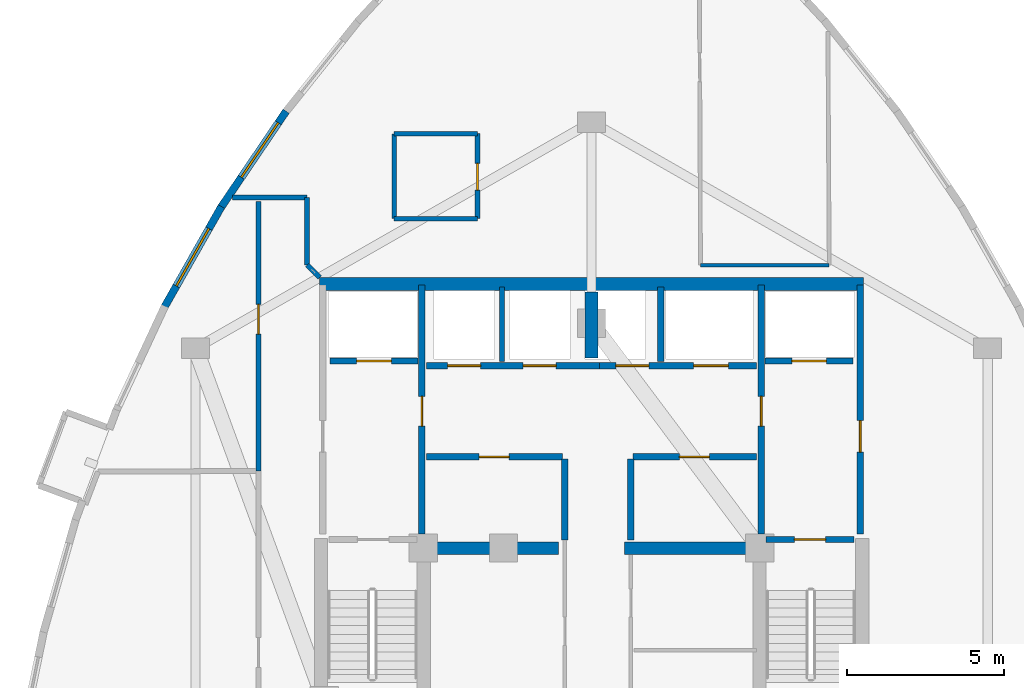
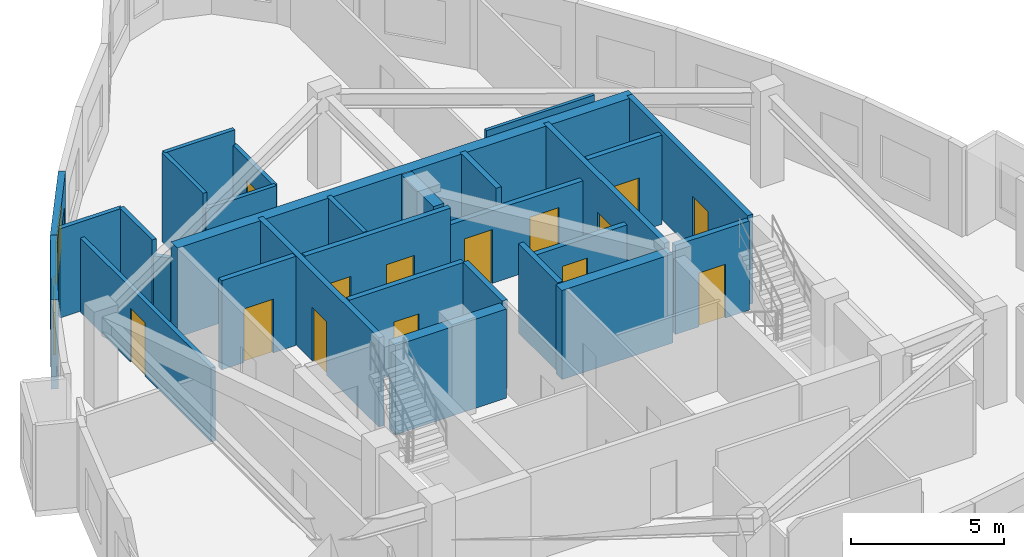
# One storey, part 6 of 9: 29 walls, 14 doors, 2 windows, 16 openings.
"""IFC4 building model written with IfcOpenShell, lengths in metres."""

from ifc_helpers import new_model, si_unit, direction, frame, frame_2d, origin, place, context, subcontext, project, spatial, rectangle, extrude, material, layer, layer_set, type_object, element, fill, save


model = new_model("IFC4")

# Units and contexts
model_context = context("Model", 3, precision=1e-05, world=origin(), true_north=direction((0.0, 1.0)))
body_context = subcontext(model_context, "Body", "Model", "MODEL_VIEW")
ifc_project = project(units=[si_unit("LENGTHUNIT", "METRE"), si_unit("AREAUNIT", "SQUARE_METRE"), si_unit("VOLUMEUNIT", "CUBIC_METRE"), si_unit("PLANEANGLEUNIT", "RADIAN"), si_unit("MASSUNIT", "GRAM", prefix="KILO")], contexts=[model_context])

# Site, building, storey
site_placement = place(None, origin())
site = spatial("IfcSite", under=ifc_project, at=site_placement, CompositionType="ELEMENT")
building_placement = place(site_placement, origin())
building = spatial("IfcBuilding", under=site, at=building_placement, Name="Miruveldt Soraemaru", CompositionType="ELEMENT")
storey_placement = place(building_placement, frame((0.0, 0.0, 267.39990234375)))
storey = spatial("IfcBuildingStorey", under=building, at=storey_placement, Name="L73", CompositionType="ELEMENT", Elevation=267.39990234375)

# Walls
ifc_material_1 = material(Name="Concrete C70/85 (70 MPa)", Category="concrete")
ifc_layer_1 = layer(ifc_material_1, 0.5, Name="Concrete C70/85 (70 MPa)", Category="concrete")
ifc_layer_set_1 = layer_set([ifc_layer_1], Name="Concrete C70/85 (70 MPa)")
wall_type_1 = type_object("IfcWallType", Name="WALL-BW-500", PredefinedType="SHEAR", material=ifc_layer_set_1)
wall_1_placement = place(storey_placement, frame((44.0, 50.10009765625, 0.0), z_axis=(0.0, 0.0, 1.0), x_axis=(0.0, 1.0, 0.0)))
element("IfcWall", 1, at=wall_1_placement, inside=storey, type_object=wall_type_1, Name="L73 Core Buttress Shear Wall BN", PredefinedType="SHEAR", context=body_context, shape_type="SweptSolid", body=[
    extrude(rectangle(XDim=2.099853515625, YDim=0.39990234375, at=frame_2d((1.0498046875, 0.0))), origin(), (0.0, 0.0, 1.0), 3.565185546875),
])
for number, where, z_axis, x_axis, name in (
    (2, (38.75, 44.050048828125, 0.0), (0.0, 0.0, 1.0), (1.0, 0.0, 0.0), "L73 Core Buttress Shear Wall BW"),
    (3, (45.050048828125, 44.050048828125, 0.0), (0.0, 0.0, 1.0), (1.0, 0.0, 0.0), "L73 Core Buttress Shear Wall BE"),
):
    element("IfcWall", number, at=place(storey_placement, frame(where, z_axis=z_axis, x_axis=x_axis)), inside=storey, type_object=wall_type_1, Name=name, PredefinedType="SHEAR", context=body_context, shape_type="SweptSolid", body=[
        extrude(rectangle(XDim=4.199951171875, YDim=0.39990234375, at=frame_2d((2.10009765625, 0.0))), origin(), (0.0, 0.0, 1.0), 3.565185546875),
    ])
ifc_material_2 = material(Name="Concrete C50/60 (50 MPa)", Category="concrete")
ifc_layer_2 = layer(ifc_material_2, 0.419921875, Name="Concrete C50/60 (50 MPa)", Category="concrete")
ifc_layer_set_2 = layer_set([ifc_layer_2], Name="Concrete C50/60 (50 MPa)")
wall_type_2 = type_object("IfcWallType", Name="WALL-CW-420", PredefinedType="SHEAR", material=ifc_layer_set_2)
wall_2_placement = place(storey_placement, frame((35.35009765625, 52.449951171875, 0.0), z_axis=(0.0, 0.0, 1.0), x_axis=(1.0, 0.0, 0.0)))
element("IfcWall", 4, at=wall_2_placement, inside=storey, type_object=wall_type_2, Name="L73 Central Core Shear Wall N", PredefinedType="SHEAR", context=body_context, shape_type="SweptSolid", body=[
    extrude(rectangle(XDim=17.2998046875, YDim=0.419921875, at=frame_2d((8.64990234375, 0.0))), origin(), (0.0, 0.0, 1.0), 3.565185546875),
])

# Wall, opening, window
ifc_material_3 = material(Name="Precast concrete C45/55 (45 MPa)", Category="concrete")
ifc_layer_3 = layer(ifc_material_3, 0.239990234375, Name="Precast concrete C45/55 (45 MPa)", Category="concrete")
ifc_layer_set_3 = layer_set([ifc_layer_3], Name="Precast concrete C45/55 (45 MPa)")
wall_type_3 = type_object("IfcWallType", Name="WALL-EXT-PC240", PredefinedType="SOLIDWALL", material=ifc_layer_set_3)
wall_3_placement = place(storey_placement, frame((34.2841796875, 57.948486328125, 0.0), z_axis=(0.0, 0.0, 1.0), x_axis=(-0.560822138973, -0.827936306993, 0.0)))
wall_3 = element("IfcWall", 5, at=wall_3_placement, inside=storey, type_object=wall_type_3, Name="L73 Precast Concrete Facade Wall 9", PredefinedType="SOLIDWALL", context=body_context, shape_type="SweptSolid", body=[
    extrude(rectangle(XDim=3.736328125, YDim=0.239990234375, at=frame_2d((1.8681640625, 0.0))), origin(), (0.0, 0.0, 1.0), 3.565185546875),
])
opening_1_placement = place(wall_3_placement, frame((0.444091796875, 0.0, 0.800048828125)))
opening_1 = element("IfcOpeningElement", 6, at=opening_1_placement, cuts=wall_3, Name="Opening WN-1", PredefinedType="OPENING", context=body_context, shape_type="SweptSolid", body=[
    extrude(rectangle(XDim=2.10009765625, YDim=1.699951171875, at=frame_2d((1.050048828125, 0.85009765625))), frame((0.0, 0.1298828125, 0.0), z_axis=(0.0, -1.0, 0.0), x_axis=(1.0, 0.0, 0.0)), (0.0, 0.0, 1.0), 0.260009765625),
])
ifc_material_4 = material(Name="Triple low-e insulated glazing", Category="glass")
window_type = type_object("IfcWindowType", Name="WIN-PUNCH-2100x1700", PartitioningType="SINGLE_PANEL", PredefinedType="WINDOW", material=ifc_material_4)
window_1_placement = place(opening_1_placement, origin())
window_1 = element("IfcWindow", 7, at=window_1_placement, inside=storey, type_object=window_type, Name="L73 Punched Triple-Glazed Window 09.1", OverallHeight=1.699951171875, OverallWidth=2.10009765625, PartitioningType="SINGLE_PANEL", PredefinedType="WINDOW", context=body_context, shape_type="SweptSolid", body=[
    extrude(rectangle(XDim=2.10009765625, YDim=1.699951171875, at=frame_2d((1.050048828125, 0.85009765625))), frame((0.0, 0.030029296875, 0.0), z_axis=(0.0, -1.0, 0.0), x_axis=(1.0, 0.0, 0.0)), (0.0, 0.0, 1.0), 0.06005859375),
])
fill(opening_1, window_1)

wall_4_placement = place(storey_placement, frame((32.2255859375, 54.91455078125, 0.0), z_axis=(0.0, 0.0, 1.0), x_axis=(-0.49336758037, -0.869820918718, 0.0)))
wall_4 = element("IfcWall", 8, at=wall_4_placement, inside=storey, type_object=wall_type_3, Name="L73 Precast Concrete Facade Wall 10", PredefinedType="SOLIDWALL", context=body_context, shape_type="SweptSolid", body=[
    extrude(rectangle(XDim=3.712890625, YDim=0.239990234375, at=frame_2d((1.8564453125, 0.0))), origin(), (0.0, 0.0, 1.0), 3.565185546875),
])
opening_2_placement = place(wall_4_placement, frame((0.805908203125, 0.0, 0.800048828125)))
opening_2 = element("IfcOpeningElement", 9, at=opening_2_placement, cuts=wall_4, Name="Opening WN-1", PredefinedType="OPENING", context=body_context, shape_type="SweptSolid", body=[
    extrude(rectangle(XDim=2.10009765625, YDim=1.699951171875, at=frame_2d((1.050048828125, 0.85009765625))), frame((0.0, 0.1298828125, 0.0), z_axis=(0.0, -1.0, 0.0), x_axis=(1.0, 0.0, 0.0)), (0.0, 0.0, 1.0), 0.260009765625),
])
window_2_placement = place(opening_2_placement, origin())
window_2 = element("IfcWindow", 10, at=window_2_placement, inside=storey, type_object=window_type, Name="L73 Punched Triple-Glazed Window 10.1", OverallHeight=1.699951171875, OverallWidth=2.10009765625, PartitioningType="SINGLE_PANEL", PredefinedType="WINDOW", context=body_context, shape_type="SweptSolid", body=[
    extrude(rectangle(XDim=2.10009765625, YDim=1.699951171875, at=frame_2d((1.050048828125, 0.85009765625))), frame((0.0, 0.030029296875, 0.0), z_axis=(0.0, -1.0, 0.0), x_axis=(1.0, 0.0, 0.0)), (0.0, 0.0, 1.0), 0.06005859375),
])
fill(opening_2, window_2)

# Wall
ifc_material_5 = material(Name="Gypsum plasterboard lining", Category="gypsum")
ifc_layer_4 = layer(ifc_material_5, 0.1201171875, Name="Gypsum plasterboard lining", Category="gypsum")
ifc_layer_set_4 = layer_set([ifc_layer_4], Name="Gypsum plasterboard lining")
wall_type_4 = type_object("IfcWallType", Name="WALL-INT-P120", PredefinedType="PARTITIONING", material=ifc_layer_set_4)
wall_5_placement = place(storey_placement, frame((51.56201171875, 53.050048828125, 0.0), z_axis=(0.0, 0.0, 1.0), x_axis=(-1.0, 0.0, 0.0)))
element("IfcWall", 11, at=wall_5_placement, inside=storey, type_object=wall_type_4, Name="L73 Partition Wall 28", PredefinedType="PARTITIONING", context=body_context, shape_type="SweptSolid", body=[
    extrude(rectangle(XDim=4.095947265625, YDim=0.1201171875, at=frame_2d((2.0478515625, 0.0))), origin(), (0.0, 0.0, 1.0), 3.565185546875),
])

# Wall, opening, door
ifc_layer_5 = layer(ifc_material_5, 0.14990234375, Name="Gypsum plasterboard lining", Category="gypsum")
ifc_layer_set_5 = layer_set([ifc_layer_5], Name="Gypsum plasterboard lining")
wall_type_5 = type_object("IfcWallType", Name="WALL-INT-PLUMB", PredefinedType="PLUMBINGWALL", material=ifc_layer_set_5)
wall_6_placement = place(storey_placement, frame((40.3720703125, 54.530029296875, 0.0), z_axis=(0.0, 0.0, 1.0), x_axis=(0.0, 1.0, 0.0)))
wall_6 = element("IfcWall", 12, at=wall_6_placement, inside=storey, type_object=wall_type_5, Name="L73 Partition Wall 11", PredefinedType="PLUMBINGWALL", context=body_context, shape_type="SweptSolid", body=[
    extrude(rectangle(XDim=2.699951171875, YDim=0.14990234375, at=frame_2d((1.35009765625, 0.0))), origin(), (0.0, 0.0, 1.0), 2.965087890625),
])
opening_3_placement = place(wall_6_placement, frame((0.909912109375, 0.0, 0.0)))
opening_3 = element("IfcOpeningElement", 13, at=opening_3_placement, cuts=wall_6, Name="Opening FD3", PredefinedType="OPENING", context=body_context, shape_type="SweptSolid", body=[
    extrude(rectangle(XDim=0.85009765625, YDim=2.10009765625, at=frame_2d((0.425048828125, 1.050048828125))), frame((0.0, 0.0849609375, 0.0), z_axis=(0.0, -1.0, 0.0), x_axis=(1.0, 0.0, 0.0)), (0.0, 0.0, 1.0), 0.169921875),
])
ifc_material_6 = material(Name="Anodised aluminium EN AW-6063 T6", Category="aluminium")
door_type_1 = type_object("IfcDoorType", Name="DOOR-FD3-850", OperationType="NOTDEFINED", PredefinedType="DOOR", material=ifc_material_6)
door_1_placement = place(opening_3_placement, origin())
door_1 = element("IfcDoor", 14, at=door_1_placement, inside=storey, type_object=door_type_1, Name="L73 Unit 7301 BTH Door", OperationType="SINGLE_SWING_RIGHT", OverallHeight=2.10009765625, OverallWidth=0.85009765625, PredefinedType="DOOR", context=body_context, shape_type="SweptSolid", body=[
    extrude(rectangle(XDim=0.85009765625, YDim=2.10009765625, at=frame_2d((0.425048828125, 1.050048828125))), frame((0.0, 0.02490234375, 0.0), z_axis=(0.0, -1.0, 0.0), x_axis=(1.0, 0.0, 0.0)), (0.0, 0.0, 1.0), 0.050048828125),
])
fill(opening_3, door_1)

# Walls
wall_7_placement = place(storey_placement, frame((37.721923828125, 57.22998046875, 0.0), z_axis=(0.0, 0.0, 1.0), x_axis=(0.0, -1.0, 0.0)))
element("IfcWall", 15, at=wall_7_placement, inside=storey, type_object=wall_type_5, Name="L73 Partition Wall 13", PredefinedType="PLUMBINGWALL", context=body_context, shape_type="SweptSolid", body=[
    extrude(rectangle(XDim=2.699951171875, YDim=0.14990234375, at=frame_2d((1.35009765625, 0.0))), origin(), (0.0, 0.0, 1.0), 3.565185546875),
])
wall_8_placement = place(storey_placement, frame((40.3720703125, 57.22998046875, 0.0), z_axis=(0.0, 0.0, 1.0), x_axis=(-1.0, 0.0, 0.0)))
element("IfcWall", 16, at=wall_8_placement, inside=storey, type_object=wall_type_5, Name="L73 Partition Wall 12", PredefinedType="PLUMBINGWALL", context=body_context, shape_type="SweptSolid", body=[
    extrude(rectangle(XDim=2.650146484375, YDim=0.14990234375, at=frame_2d((1.3251953125, 0.0))), origin(), (0.0, 0.0, 1.0), 3.565185546875),
])
wall_9_placement = place(storey_placement, frame((37.721923828125, 54.530029296875, 0.0), z_axis=(0.0, 0.0, 1.0), x_axis=(1.0, 0.0, 0.0)))
element("IfcWall", 17, at=wall_9_placement, inside=storey, type_object=wall_type_5, Name="L73 Partition Wall 14", PredefinedType="PLUMBINGWALL", context=body_context, shape_type="SweptSolid", body=[
    extrude(rectangle(XDim=2.650146484375, YDim=0.14990234375, at=frame_2d((1.3251953125, 0.0))), origin(), (0.0, 0.0, 1.0), 2.965087890625),
])

# Wall, opening, door
ifc_material_7 = material(Name="Concrete C40/50 (40 MPa)", Category="concrete")
ifc_layer_6 = layer(ifc_material_7, 0.159912109375, Name="Concrete C40/50 (40 MPa)", Category="concrete")
ifc_layer_set_6 = layer_set([ifc_layer_6], Name="Concrete C40/50 (40 MPa)")
wall_type_6 = type_object("IfcWallType", Name="WALL-INT-RC160", PredefinedType="SOLIDWALL", material=ifc_layer_set_6)
wall_10_placement = place(storey_placement, frame((33.39990234375, 55.075927734375, 0.0), z_axis=(0.0, 0.0, 1.0), x_axis=(0.0, -1.0, 0.0)))
wall_10 = element("IfcWall", 18, at=wall_10_placement, inside=storey, type_object=wall_type_6, Name="L73 Partition Wall 3", PredefinedType="SOLIDWALL", context=body_context, shape_type="SweptSolid", body=[
    extrude(rectangle(XDim=8.571044921875, YDim=0.159912109375, at=frame_2d((4.28564453125, 0.0))), origin(), (0.0, 0.0, 1.0), 2.965087890625),
])
opening_4_placement = place(wall_10_placement, frame((3.27001953125, 0.0, 0.0)))
opening_4 = element("IfcOpeningElement", 19, at=opening_4_placement, cuts=wall_10, Name="Opening FD2", PredefinedType="OPENING", context=body_context, shape_type="SweptSolid", body=[
    extrude(rectangle(XDim=0.949951171875, YDim=2.14990234375, at=frame_2d((0.47509765625, 1.074951171875))), frame((0.0, 0.08984375, 0.0), z_axis=(0.0, -1.0, 0.0), x_axis=(1.0, 0.0, 0.0)), (0.0, 0.0, 1.0), 0.179931640625),
])
door_type_2 = type_object("IfcDoorType", Name="DOOR-FD2-950", OperationType="NOTDEFINED", PredefinedType="DOOR", material=ifc_material_6)
door_2_placement = place(opening_4_placement, origin())
door_2 = element("IfcDoor", 20, at=door_2_placement, inside=storey, type_object=door_type_2, Name="L73 Unit 7301 Entrance Fire Door", OperationType="SINGLE_SWING_LEFT", OverallHeight=2.14990234375, OverallWidth=0.949951171875, PredefinedType="DOOR", context=body_context, shape_type="SweptSolid", body=[
    extrude(rectangle(XDim=0.949951171875, YDim=2.14990234375, at=frame_2d((0.47509765625, 1.074951171875))), frame((0.0, 0.02490234375, 0.0), z_axis=(0.0, -1.0, 0.0), x_axis=(1.0, 0.0, 0.0)), (0.0, 0.0, 1.0), 0.050048828125),
])
fill(opening_4, door_2)

# Walls
wall_11_placement = place(storey_placement, frame((41.14990234375, 49.97998046875, 0.0), z_axis=(0.0, 0.0, 1.0), x_axis=(0.0, 1.0, 0.0)))
element("IfcWall", 21, at=wall_11_placement, inside=storey, type_object=wall_type_6, Name="L73 Core Compartment Wall PLH-DIV1", PredefinedType="SOLIDWALL", context=body_context, shape_type="SweptSolid", body=[
    extrude(rectangle(XDim=2.3701171875, YDim=0.159912109375, at=frame_2d((1.18505859375, 0.0))), origin(), (0.0, 0.0, 1.0), 3.565185546875),
])
wall_12_placement = place(storey_placement, frame((34.949951171875, 55.199951171875, 0.0), z_axis=(0.0, 0.0, 1.0), x_axis=(-1.0, 0.0, 0.0)))
element("IfcWall", 22, at=wall_12_placement, inside=storey, type_object=wall_type_6, Name="L73 Partition Wall 2", PredefinedType="SOLIDWALL", context=body_context, shape_type="SweptSolid", body=[
    extrude(rectangle(XDim=2.364990234375, YDim=0.159912109375, at=frame_2d((1.1826171875, 0.0))), origin(), (0.0, 0.0, 1.0), 3.565185546875),
])
wall_13_placement = place(storey_placement, frame((34.949951171875, 53.054931640625, 0.0), z_axis=(0.0, 0.0, 1.0), x_axis=(0.0, 1.0, 0.0)))
element("IfcWall", 23, at=wall_13_placement, inside=storey, type_object=wall_type_6, Name="L73 Partition Wall 1", PredefinedType="SOLIDWALL", context=body_context, shape_type="SweptSolid", body=[
    extrude(rectangle(XDim=2.14501953125, YDim=0.159912109375, at=frame_2d((1.072509765625, 0.0))), origin(), (0.0, 0.0, 1.0), 3.565185546875),
])
wall_14_placement = place(storey_placement, frame((34.949951171875, 53.054931640625, 0.0), z_axis=(0.0, 0.0, 1.0), x_axis=(0.711651166781, -0.70253300052, 0.0)))
element("IfcWall", 24, at=wall_14_placement, inside=storey, type_object=wall_type_6, Name="L73 Partition Closure Return 1", PredefinedType="SOLIDWALL", context=body_context, shape_type="SweptSolid", body=[
    extrude(rectangle(XDim=0.562255859375, YDim=0.159912109375, at=frame_2d((0.28125, 0.0))), origin(), (0.0, 0.0, 1.0), 2.965087890625),
])

# Wall, opening, door
ifc_layer_7 = layer(ifc_material_7, 0.199951171875, Name="Concrete C40/50 (40 MPa)", Category="concrete")
ifc_layer_set_7 = layer_set([ifc_layer_7], Name="Concrete C40/50 (40 MPa)")
wall_type_7 = type_object("IfcWallType", Name="WALL-INT-RC200", PredefinedType="SOLIDWALL", material=ifc_layer_set_7)
wall_15_placement = place(storey_placement, frame((52.550048828125, 44.5, 0.0), z_axis=(0.0, 0.0, 1.0), x_axis=(0.0, 1.0, 0.0)))
wall_15 = element("IfcWall", 25, at=wall_15_placement, inside=storey, type_object=wall_type_7, Name="L73 Core Compartment Wall FFE-OUT", PredefinedType="SOLIDWALL", context=body_context, shape_type="SweptSolid", body=[
    extrude(rectangle(XDim=7.919921875, YDim=0.199951171875, at=frame_2d((3.9599609375, 0.0))), origin(), (0.0, 0.0, 1.0), 3.565185546875),
])
opening_5_placement = place(wall_15_placement, frame((2.60009765625, 0.0, 0.0)))
opening_5 = element("IfcOpeningElement", 26, at=opening_5_placement, cuts=wall_15, Name="Opening FD1", PredefinedType="OPENING", context=body_context, shape_type="SweptSolid", body=[
    extrude(rectangle(XDim=1.0, YDim=2.14990234375, at=frame_2d((0.5, 1.074951171875))), frame((0.0, 0.10986328125, 0.0), z_axis=(0.0, -1.0, 0.0), x_axis=(1.0, 0.0, 0.0)), (0.0, 0.0, 1.0), 0.219970703125),
])
door_type_3 = type_object("IfcDoorType", Name="DOOR-FD1-1000", OperationType="NOTDEFINED", PredefinedType="DOOR", material=ifc_material_6)
door_3_placement = place(opening_5_placement, frame((1.0, 0.0, 0.0), z_axis=(0.0, 0.0, 1.0), x_axis=(-1.0, 0.0, 0.0)))
door_3 = element("IfcDoor", 27, at=door_3_placement, inside=storey, type_object=door_type_3, Name="L73 East Firefighting Lobby Exit Door", OperationType="SINGLE_SWING_RIGHT", OverallHeight=2.14990234375, OverallWidth=1.0, PredefinedType="DOOR", context=body_context, shape_type="SweptSolid", body=[
    extrude(rectangle(XDim=1.0, YDim=2.14990234375, at=frame_2d((0.5, 1.074951171875))), frame((0.0, 0.02490234375, 0.0), z_axis=(0.0, -1.0, 0.0), x_axis=(1.0, 0.0, 0.0)), (0.0, 0.0, 1.0), 0.050048828125),
])
fill(opening_5, door_3)

wall_16_placement = place(storey_placement, frame((38.60009765625, 44.5, 0.0), z_axis=(0.0, 0.0, 1.0), x_axis=(0.0, 1.0, 0.0)))
wall_16 = element("IfcWall", 28, at=wall_16_placement, inside=storey, type_object=wall_type_7, Name="L73 Core Compartment Wall FFW-IN", PredefinedType="SOLIDWALL", context=body_context, shape_type="SweptSolid", body=[
    extrude(rectangle(XDim=7.919921875, YDim=0.199951171875, at=frame_2d((3.9599609375, 0.0))), origin(), (0.0, 0.0, 1.0), 3.565185546875),
])
opening_6_placement = place(wall_16_placement, frame((3.425048828125, 0.0, 0.0)))
opening_6 = element("IfcOpeningElement", 29, at=opening_6_placement, cuts=wall_16, Name="Opening FD2", PredefinedType="OPENING", context=body_context, shape_type="SweptSolid", body=[
    extrude(rectangle(XDim=0.949951171875, YDim=2.14990234375, at=frame_2d((0.47509765625, 1.074951171875))), frame((0.0, 0.10986328125, 0.0), z_axis=(0.0, -1.0, 0.0), x_axis=(1.0, 0.0, 0.0)), (0.0, 0.0, 1.0), 0.219970703125),
])
door_4_placement = place(opening_6_placement, frame((0.949951171875, 0.0, 0.0), z_axis=(0.0, 0.0, 1.0), x_axis=(-1.0, 0.0, 0.0)))
door_4 = element("IfcDoor", 30, at=door_4_placement, inside=storey, type_object=door_type_2, Name="L73 Lift Lobby to West Fire Lobby Door", OperationType="SINGLE_SWING_RIGHT", OverallHeight=2.14990234375, OverallWidth=0.949951171875, PredefinedType="DOOR", context=body_context, shape_type="SweptSolid", body=[
    extrude(rectangle(XDim=0.949951171875, YDim=2.14990234375, at=frame_2d((0.47509765625, 1.074951171875))), frame((0.0, 0.02490234375, 0.0), z_axis=(0.0, -1.0, 0.0), x_axis=(1.0, 0.0, 0.0)), (0.0, 0.0, 1.0), 0.050048828125),
])
fill(opening_6, door_4)

wall_17_placement = place(storey_placement, frame((49.39990234375, 44.5, 0.0), z_axis=(0.0, 0.0, 1.0), x_axis=(0.0, 1.0, 0.0)))
wall_17 = element("IfcWall", 31, at=wall_17_placement, inside=storey, type_object=wall_type_7, Name="L73 Core Compartment Wall FFE-IN", PredefinedType="SOLIDWALL", context=body_context, shape_type="SweptSolid", body=[
    extrude(rectangle(XDim=7.919921875, YDim=0.199951171875, at=frame_2d((3.9599609375, 0.0))), origin(), (0.0, 0.0, 1.0), 3.565185546875),
])
opening_7_placement = place(wall_17_placement, frame((3.425048828125, 0.0, 0.0)))
opening_7 = element("IfcOpeningElement", 32, at=opening_7_placement, cuts=wall_17, Name="Opening FD2", PredefinedType="OPENING", context=body_context, shape_type="SweptSolid", body=[
    extrude(rectangle(XDim=0.949951171875, YDim=2.14990234375, at=frame_2d((0.47509765625, 1.074951171875))), frame((0.0, 0.10986328125, 0.0), z_axis=(0.0, -1.0, 0.0), x_axis=(1.0, 0.0, 0.0)), (0.0, 0.0, 1.0), 0.219970703125),
])
door_5_placement = place(opening_7_placement, origin())
door_5 = element("IfcDoor", 33, at=door_5_placement, inside=storey, type_object=door_type_2, Name="L73 Lift Lobby to East Fire Lobby Door", OperationType="SINGLE_SWING_LEFT", OverallHeight=2.14990234375, OverallWidth=0.949951171875, PredefinedType="DOOR", context=body_context, shape_type="SweptSolid", body=[
    extrude(rectangle(XDim=0.949951171875, YDim=2.14990234375, at=frame_2d((0.47509765625, 1.074951171875))), frame((0.0, 0.02490234375, 0.0), z_axis=(0.0, -1.0, 0.0), x_axis=(1.0, 0.0, 0.0)), (0.0, 0.0, 1.0), 0.050048828125),
])
fill(opening_7, door_5)

# Wall, openings, doors
wall_18_placement = place(storey_placement, frame((38.75, 49.85009765625, 0.0), z_axis=(0.0, 0.0, 1.0), x_axis=(1.0, 0.0, 0.0)))
wall_18 = element("IfcWall", 34, at=wall_18_placement, inside=storey, type_object=wall_type_7, Name="L73 Core Compartment Wall ROWA-SW", PredefinedType="SOLIDWALL", context=body_context, shape_type="SweptSolid", body=[
    extrude(rectangle(XDim=5.5, YDim=0.199951171875, at=frame_2d((2.75, 0.0))), origin(), (0.0, 0.0, 1.0), 3.565185546875),
])
opening_8_placement = place(wall_18_placement, frame((0.675048828125, 0.0, 0.0)))
opening_8 = element("IfcOpeningElement", 35, at=opening_8_placement, cuts=wall_18, Name="Opening LD1", PredefinedType="OPENING", context=body_context, shape_type="SweptSolid", body=[
    extrude(rectangle(XDim=1.050048828125, YDim=2.14990234375, at=frame_2d((0.52490234375, 1.074951171875))), frame((0.0, 0.10986328125, 0.0), z_axis=(0.0, -1.0, 0.0), x_axis=(1.0, 0.0, 0.0)), (0.0, 0.0, 1.0), 0.219970703125),
])
opening_9_placement = place(wall_18_placement, frame((3.074951171875, 0.0, 0.0)))
opening_9 = element("IfcOpeningElement", 36, at=opening_9_placement, cuts=wall_18, Name="Opening LD1", PredefinedType="OPENING", context=body_context, shape_type="SweptSolid", body=[
    extrude(rectangle(XDim=1.050048828125, YDim=2.14990234375, at=frame_2d((0.52490234375, 1.074951171875))), frame((0.0, 0.10986328125, 0.0), z_axis=(0.0, -1.0, 0.0), x_axis=(1.0, 0.0, 0.0)), (0.0, 0.0, 1.0), 0.219970703125),
])
door_type_4 = type_object("IfcDoorType", Name="DOOR-LD1-1050", OperationType="SLIDING_TO_LEFT", PredefinedType="DOOR", material=ifc_material_6)
door_6_placement = place(opening_8_placement, origin())
door_6 = element("IfcDoor", 37, at=door_6_placement, inside=storey, type_object=door_type_4, Name="L73 PL-H1 Landing Door", OperationType="SLIDING_TO_LEFT", OverallHeight=2.14990234375, OverallWidth=1.050048828125, PredefinedType="DOOR", context=body_context, shape_type="SweptSolid", body=[
    extrude(rectangle(XDim=1.050048828125, YDim=2.14990234375, at=frame_2d((0.52490234375, 1.074951171875))), frame((0.0, 0.02490234375, 0.0), z_axis=(0.0, -1.0, 0.0), x_axis=(1.0, 0.0, 0.0)), (0.0, 0.0, 1.0), 0.050048828125),
])
fill(opening_8, door_6)
door_7_placement = place(opening_9_placement, origin())
door_7 = element("IfcDoor", 38, at=door_7_placement, inside=storey, type_object=door_type_4, Name="L73 PL-H2 Landing Door", OperationType="SLIDING_TO_LEFT", OverallHeight=2.14990234375, OverallWidth=1.050048828125, PredefinedType="DOOR", context=body_context, shape_type="SweptSolid", body=[
    extrude(rectangle(XDim=1.050048828125, YDim=2.14990234375, at=frame_2d((0.52490234375, 1.074951171875))), frame((0.0, 0.02490234375, 0.0), z_axis=(0.0, -1.0, 0.0), x_axis=(1.0, 0.0, 0.0)), (0.0, 0.0, 1.0), 0.050048828125),
])
fill(opening_9, door_7)

wall_19_placement = place(storey_placement, frame((44.25, 49.85009765625, 0.0), z_axis=(0.0, 0.0, 1.0), x_axis=(1.0, 0.0, 0.0)))
wall_19 = element("IfcWall", 39, at=wall_19_placement, inside=storey, type_object=wall_type_7, Name="L73 Core Compartment Wall ROWA-SE", PredefinedType="SOLIDWALL", context=body_context, shape_type="SweptSolid", body=[
    extrude(rectangle(XDim=5.0, YDim=0.199951171875, at=frame_2d((2.5, 0.0))), origin(), (0.0, 0.0, 1.0), 2.903076171875),
])
opening_10_placement = place(wall_19_placement, frame((0.52490234375, 0.0, 0.0)))
opening_10 = element("IfcOpeningElement", 40, at=opening_10_placement, cuts=wall_19, Name="Opening LD1", PredefinedType="OPENING", context=body_context, shape_type="SweptSolid", body=[
    extrude(rectangle(XDim=1.050048828125, YDim=2.14990234375, at=frame_2d((0.52490234375, 1.074951171875))), frame((0.0, 0.10986328125, 0.0), z_axis=(0.0, -1.0, 0.0), x_axis=(1.0, 0.0, 0.0)), (0.0, 0.0, 1.0), 0.219970703125),
])
opening_11_placement = place(wall_19_placement, frame((3.0, 0.0, 0.0)))
opening_11 = element("IfcOpeningElement", 41, at=opening_11_placement, cuts=wall_19, Name="Opening LD2", PredefinedType="OPENING", context=body_context, shape_type="SweptSolid", body=[
    extrude(rectangle(XDim=1.10009765625, YDim=2.14990234375, at=frame_2d((0.550048828125, 1.074951171875))), frame((0.0, 0.10986328125, 0.0), z_axis=(0.0, -1.0, 0.0), x_axis=(1.0, 0.0, 0.0)), (0.0, 0.0, 1.0), 0.219970703125),
])
door_8_placement = place(opening_10_placement, origin())
door_8 = element("IfcDoor", 42, at=door_8_placement, inside=storey, type_object=door_type_4, Name="L73 PL-H3 Landing Door", OperationType="SLIDING_TO_LEFT", OverallHeight=2.14990234375, OverallWidth=1.050048828125, PredefinedType="DOOR", context=body_context, shape_type="SweptSolid", body=[
    extrude(rectangle(XDim=1.050048828125, YDim=2.14990234375, at=frame_2d((0.52490234375, 1.074951171875))), frame((0.0, 0.02490234375, 0.0), z_axis=(0.0, -1.0, 0.0), x_axis=(1.0, 0.0, 0.0)), (0.0, 0.0, 1.0), 0.050048828125),
])
fill(opening_10, door_8)
door_type_5 = type_object("IfcDoorType", Name="DOOR-LD2-1100", OperationType="SLIDING_TO_LEFT", PredefinedType="DOOR", material=ifc_material_6)
door_9_placement = place(opening_11_placement, origin())
door_9 = element("IfcDoor", 43, at=door_9_placement, inside=storey, type_object=door_type_5, Name="L73 SL-1 Landing Door", OperationType="SLIDING_TO_LEFT", OverallHeight=2.14990234375, OverallWidth=1.10009765625, PredefinedType="DOOR", context=body_context, shape_type="SweptSolid", body=[
    extrude(rectangle(XDim=1.10009765625, YDim=2.14990234375, at=frame_2d((0.550048828125, 1.074951171875))), frame((0.0, 0.02490234375, 0.0), z_axis=(0.0, -1.0, 0.0), x_axis=(1.0, 0.0, 0.0)), (0.0, 0.0, 1.0), 0.050048828125),
])
fill(opening_11, door_9)

# Wall, opening, door
wall_20_placement = place(storey_placement, frame((38.75, 46.949951171875, 0.0), z_axis=(0.0, 0.0, 1.0), x_axis=(1.0, 0.0, 0.0)))
wall_20 = element("IfcWall", 44, at=wall_20_placement, inside=storey, type_object=wall_type_7, Name="L73 Core Compartment Wall MBW-N", PredefinedType="SOLIDWALL", context=body_context, shape_type="SweptSolid", body=[
    extrude(rectangle(XDim=4.330078125, YDim=0.199951171875, at=frame_2d((2.1650390625, 0.0))), origin(), (0.0, 0.0, 1.0), 3.565185546875),
])
opening_12_placement = place(wall_20_placement, frame((1.675048828125, 0.0, 0.0)))
opening_12 = element("IfcOpeningElement", 45, at=opening_12_placement, cuts=wall_20, Name="Opening D2", PredefinedType="OPENING", context=body_context, shape_type="SweptSolid", body=[
    extrude(rectangle(XDim=0.949951171875, YDim=2.10009765625, at=frame_2d((0.47509765625, 1.050048828125))), frame((0.0, 0.10986328125, 0.0), z_axis=(0.0, -1.0, 0.0), x_axis=(1.0, 0.0, 0.0)), (0.0, 0.0, 1.0), 0.219970703125),
])
door_type_6 = type_object("IfcDoorType", Name="DOOR-INT-950", OperationType="NOTDEFINED", PredefinedType="DOOR", material=ifc_material_6)
door_10_placement = place(opening_12_placement, origin())
door_10 = element("IfcDoor", 46, at=door_10_placement, inside=storey, type_object=door_type_6, Name="L73 Fire Door", OperationType="SINGLE_SWING_LEFT", OverallHeight=2.10009765625, OverallWidth=0.949951171875, PredefinedType="DOOR", context=body_context, shape_type="SweptSolid", body=[
    extrude(rectangle(XDim=0.949951171875, YDim=2.10009765625, at=frame_2d((0.47509765625, 1.050048828125))), frame((0.0, 0.02490234375, 0.0), z_axis=(0.0, -1.0, 0.0), x_axis=(1.0, 0.0, 0.0)), (0.0, 0.0, 1.0), 0.050048828125),
])
fill(opening_12, door_10)

wall_21_placement = place(storey_placement, frame((45.320068359375, 46.949951171875, 0.0), z_axis=(0.0, 0.0, 1.0), x_axis=(1.0, 0.0, 0.0)))
wall_21 = element("IfcWall", 47, at=wall_21_placement, inside=storey, type_object=wall_type_7, Name="L73 Core Compartment Wall MBE-N", PredefinedType="SOLIDWALL", context=body_context, shape_type="SweptSolid", body=[
    extrude(rectangle(XDim=3.929931640625, YDim=0.199951171875, at=frame_2d((1.96484375, 0.0))), origin(), (0.0, 0.0, 1.0), 2.903076171875),
])
opening_13_placement = place(wall_21_placement, frame((1.47509765625, 0.0, 0.0)))
opening_13 = element("IfcOpeningElement", 48, at=opening_13_placement, cuts=wall_21, Name="Opening D2", PredefinedType="OPENING", context=body_context, shape_type="SweptSolid", body=[
    extrude(rectangle(XDim=0.949951171875, YDim=2.10009765625, at=frame_2d((0.47509765625, 1.050048828125))), frame((0.0, 0.10986328125, 0.0), z_axis=(0.0, -1.0, 0.0), x_axis=(1.0, 0.0, 0.0)), (0.0, 0.0, 1.0), 0.219970703125),
])
door_11_placement = place(opening_13_placement, origin())
door_11 = element("IfcDoor", 49, at=door_11_placement, inside=storey, type_object=door_type_6, Name="L73 Fire Door", OperationType="SINGLE_SWING_LEFT", OverallHeight=2.10009765625, OverallWidth=0.949951171875, PredefinedType="DOOR", context=body_context, shape_type="SweptSolid", body=[
    extrude(rectangle(XDim=0.949951171875, YDim=2.10009765625, at=frame_2d((0.47509765625, 1.050048828125))), frame((0.0, 0.02490234375, 0.0), z_axis=(0.0, -1.0, 0.0), x_axis=(1.0, 0.0, 0.0)), (0.0, 0.0, 1.0), 0.050048828125),
])
fill(opening_13, door_11)

wall_22_placement = place(storey_placement, frame((49.550048828125, 44.320068359375, 0.0), z_axis=(0.0, 0.0, 1.0), x_axis=(1.0, 0.0, 0.0)))
wall_22 = element("IfcWall", 50, at=wall_22_placement, inside=storey, type_object=wall_type_7, Name="L73 Core Compartment Wall ST2-N", PredefinedType="SOLIDWALL", context=body_context, shape_type="SweptSolid", body=[
    extrude(rectangle(XDim=2.800048828125, YDim=0.199951171875, at=frame_2d((1.39990234375, 0.0))), origin(), (0.0, 0.0, 1.0), 3.565185546875),
])
opening_14_placement = place(wall_22_placement, frame((0.89990234375, 0.0, 0.0)))
opening_14 = element("IfcOpeningElement", 51, at=opening_14_placement, cuts=wall_22, Name="Opening FD1", PredefinedType="OPENING", context=body_context, shape_type="SweptSolid", body=[
    extrude(rectangle(XDim=1.0, YDim=2.14990234375, at=frame_2d((0.5, 1.074951171875))), frame((0.0, 0.10986328125, 0.0), z_axis=(0.0, -1.0, 0.0), x_axis=(1.0, 0.0, 0.0)), (0.0, 0.0, 1.0), 0.219970703125),
])
door_12_placement = place(opening_14_placement, frame((1.0, 0.0, 0.0), z_axis=(0.0, 0.0, 1.0), x_axis=(-1.0, 0.0, 0.0)))
door_12 = element("IfcDoor", 52, at=door_12_placement, inside=storey, type_object=door_type_3, Name="L73 Stair ST-2 Fire Door", OperationType="SINGLE_SWING_RIGHT", OverallHeight=2.14990234375, OverallWidth=1.0, PredefinedType="DOOR", context=body_context, shape_type="SweptSolid", body=[
    extrude(rectangle(XDim=1.0, YDim=2.14990234375, at=frame_2d((0.5, 1.074951171875))), frame((0.0, 0.02490234375, 0.0), z_axis=(0.0, -1.0, 0.0), x_axis=(1.0, 0.0, 0.0)), (0.0, 0.0, 1.0), 0.050048828125),
])
fill(opening_14, door_12)

wall_23_placement = place(storey_placement, frame((35.679931640625, 50.0, 0.0), z_axis=(0.0, 0.0, 1.0), x_axis=(1.0, 0.0, 0.0)))
wall_23 = element("IfcWall", 53, at=wall_23_placement, inside=storey, type_object=wall_type_7, Name="L73 Core Compartment Wall FFL1-S", PredefinedType="SOLIDWALL", context=body_context, shape_type="SweptSolid", body=[
    extrude(rectangle(XDim=2.800048828125, YDim=0.199951171875, at=frame_2d((1.39990234375, 0.0))), origin(), (0.0, 0.0, 1.0), 3.565185546875),
])
opening_15_placement = place(wall_23_placement, frame((0.85009765625, 0.0, 0.0)))
opening_15 = element("IfcOpeningElement", 54, at=opening_15_placement, cuts=wall_23, Name="Opening LD2", PredefinedType="OPENING", context=body_context, shape_type="SweptSolid", body=[
    extrude(rectangle(XDim=1.10009765625, YDim=2.14990234375, at=frame_2d((0.550048828125, 1.074951171875))), frame((0.0, 0.10986328125, 0.0), z_axis=(0.0, -1.0, 0.0), x_axis=(1.0, 0.0, 0.0)), (0.0, 0.0, 1.0), 0.219970703125),
])
door_13_placement = place(opening_15_placement, origin())
door_13 = element("IfcDoor", 55, at=door_13_placement, inside=storey, type_object=door_type_5, Name="L73 FFL-1 Landing Door", OperationType="SLIDING_TO_LEFT", OverallHeight=2.14990234375, OverallWidth=1.10009765625, PredefinedType="DOOR", context=body_context, shape_type="SweptSolid", body=[
    extrude(rectangle(XDim=1.10009765625, YDim=2.14990234375, at=frame_2d((0.550048828125, 1.074951171875))), frame((0.0, 0.02490234375, 0.0), z_axis=(0.0, -1.0, 0.0), x_axis=(1.0, 0.0, 0.0)), (0.0, 0.0, 1.0), 0.050048828125),
])
fill(opening_15, door_13)

wall_24_placement = place(storey_placement, frame((49.52001953125, 50.0, 0.0), z_axis=(0.0, 0.0, 1.0), x_axis=(1.0, 0.0, 0.0)))
wall_24 = element("IfcWall", 56, at=wall_24_placement, inside=storey, type_object=wall_type_7, Name="L73 Core Compartment Wall FFL2-S", PredefinedType="SOLIDWALL", context=body_context, shape_type="SweptSolid", body=[
    extrude(rectangle(XDim=2.800048828125, YDim=0.199951171875, at=frame_2d((1.39990234375, 0.0))), origin(), (0.0, 0.0, 1.0), 3.565185546875),
])
opening_16_placement = place(wall_24_placement, frame((0.85009765625, 0.0, 0.0)))
opening_16 = element("IfcOpeningElement", 57, at=opening_16_placement, cuts=wall_24, Name="Opening LD2", PredefinedType="OPENING", context=body_context, shape_type="SweptSolid", body=[
    extrude(rectangle(XDim=1.10009765625, YDim=2.14990234375, at=frame_2d((0.550048828125, 1.074951171875))), frame((0.0, 0.10986328125, 0.0), z_axis=(0.0, -1.0, 0.0), x_axis=(1.0, 0.0, 0.0)), (0.0, 0.0, 1.0), 0.219970703125),
])
door_14_placement = place(opening_16_placement, origin())
door_14 = element("IfcDoor", 58, at=door_14_placement, inside=storey, type_object=door_type_5, Name="L73 FFL-2 Landing Door", OperationType="SLIDING_TO_LEFT", OverallHeight=2.14990234375, OverallWidth=1.10009765625, PredefinedType="DOOR", context=body_context, shape_type="SweptSolid", body=[
    extrude(rectangle(XDim=1.10009765625, YDim=2.14990234375, at=frame_2d((0.550048828125, 1.074951171875))), frame((0.0, 0.02490234375, 0.0), z_axis=(0.0, -1.0, 0.0), x_axis=(1.0, 0.0, 0.0)), (0.0, 0.0, 1.0), 0.050048828125),
])
fill(opening_16, door_14)

# Walls
for number, where, z_axis, x_axis, name in (
    (59, (43.14990234375, 44.300048828125, 0.0), (0.0, 0.0, 1.0), (0.0, 1.0, 0.0), "L73 Core Compartment Wall SP-WB"),
    (60, (45.25, 44.300048828125, 0.0), (0.0, 0.0, 1.0), (0.0, 1.0, 0.0), "L73 Core Compartment Wall SP-EB"),
):
    element("IfcWall", number, at=place(storey_placement, frame(where, z_axis=z_axis, x_axis=x_axis)), inside=storey, type_object=wall_type_7, Name=name, PredefinedType="SOLIDWALL", context=body_context, shape_type="SweptSolid", body=[
        extrude(rectangle(XDim=2.579833984375, YDim=0.199951171875, at=frame_2d((1.2900390625, 0.0))), origin(), (0.0, 0.0, 1.0), 3.565185546875),
    ])
wall_25_placement = place(storey_placement, frame((46.199951171875, 49.97998046875, 0.0), z_axis=(0.0, 0.0, 1.0), x_axis=(0.0, 1.0, 0.0)))
element("IfcWall", 61, at=wall_25_placement, inside=storey, type_object=wall_type_7, Name="L73 Core Compartment Wall PLH-SL-DIV", PredefinedType="SOLIDWALL", context=body_context, shape_type="SweptSolid", body=[
    extrude(rectangle(XDim=2.3701171875, YDim=0.199951171875, at=frame_2d((1.18505859375, 0.0))), origin(), (0.0, 0.0, 1.0), 3.565185546875),
])

save(model, "model.ifc")
